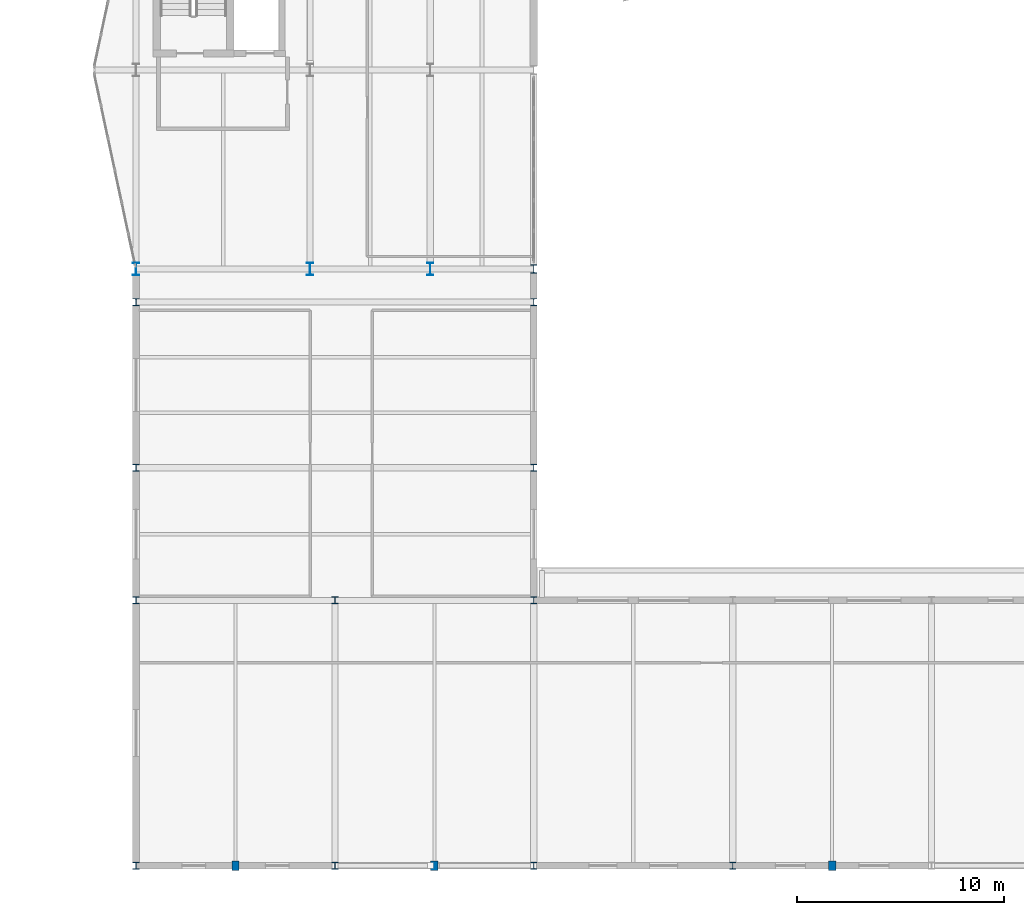
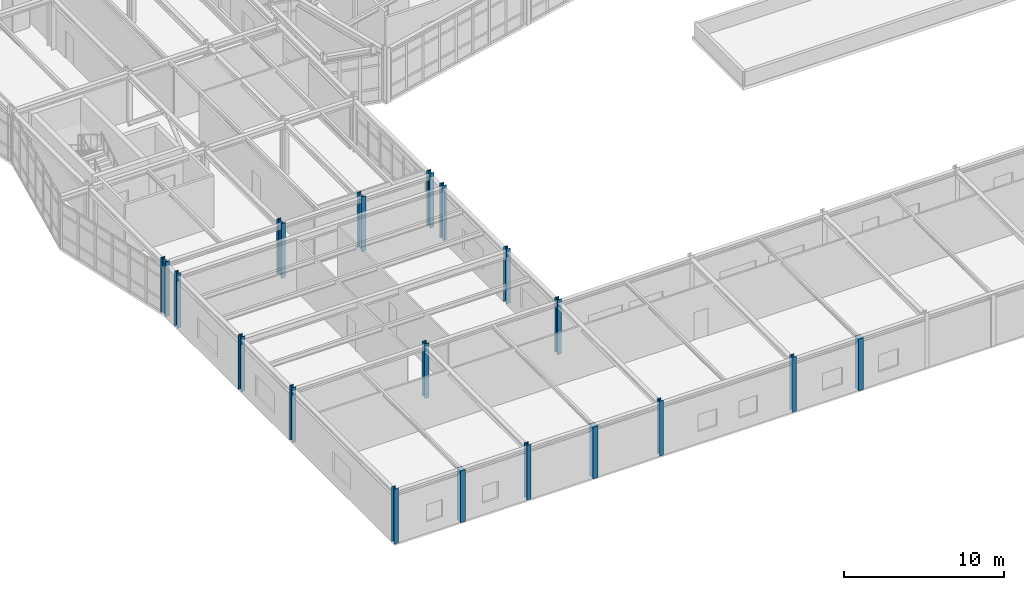
# One storey, part 1 of 99: 18 columns.
"""IFC4 building model written with IfcOpenShell, lengths in metres."""

from ifc_helpers import new_model, si_unit, direction, frame, origin, origin_2d, place, context, subcontext, project, spatial, rectangle, i_section, extrude, material, material_profile, profile_set, type_object, element, save


model = new_model("IFC4")

# Units and contexts
model_context = context("Model", 3, precision=1e-05, world=origin(), true_north=direction((0.0, 1.0)))
body_context = subcontext(model_context, "Body", "Model", "MODEL_VIEW")
ifc_project = project(units=[si_unit("LENGTHUNIT", "METRE"), si_unit("AREAUNIT", "SQUARE_METRE"), si_unit("VOLUMEUNIT", "CUBIC_METRE"), si_unit("PLANEANGLEUNIT", "RADIAN"), si_unit("MASSUNIT", "GRAM", prefix="KILO")], contexts=[model_context])

# Site, building, storey
site_placement = place(None, origin())
site = spatial("IfcSite", under=ifc_project, at=site_placement, CompositionType="ELEMENT")
building_placement = place(site_placement, origin())
building = spatial("IfcBuilding", under=site, at=building_placement, Name="Nordkorset Police Headquarters", CompositionType="ELEMENT")
storey_placement = place(building_placement, frame((0.0, 0.0, 5.25)))
storey = spatial("IfcBuildingStorey", under=building, at=storey_placement, Name="L01", CompositionType="ELEMENT", Elevation=5.25)

# Columns
ifc_material_1 = material(Name="Steel S355J2", Category="steel")
ifc_material_profile_1 = material_profile(ifc_material_1, i_section(OverallWidth=0.300048828125, OverallDepth=0.340087890625, WebThickness=0.011962890625, FlangeThickness=0.021484375, FilletRadius=0.027099609375, at=origin_2d()), Name="HEB 340")
ifc_profile_set_1 = profile_set([ifc_material_profile_1], Name="Steel S355J2")
column_type_1 = type_object("IfcColumnType", Name="Col_HEB_340", PredefinedType="COLUMN", material=ifc_profile_set_1)
for number, where, z_axis, x_axis, name in (
    (1, (0.0, 0.0, 0.0), (0.0, 0.0, 1.0), (1.0, 0.0, 0.0), "Structural Column V7_S0_0 L01"),
    (2, (0.0, 12.800048828125, 0.0), (0.0, 0.0, 1.0), (1.0, 0.0, 0.0), "Structural Column V7_S1_0 L01"),
    (3, (9.60009765625, 0.0, 0.0), (0.0, 0.0, 1.0), (1.0, 0.0, 0.0), "Structural Column V7_S0_1 L01"),
    (4, (9.60009765625, 12.800048828125, 0.0), (0.0, 0.0, 1.0), (1.0, 0.0, 0.0), "Structural Column V7_S1_1 L01"),
    (5, (19.199951171875, 0.0, 0.0), (0.0, 0.0, 1.0), (1.0, 0.0, 0.0), "Structural Column V7_S0_2 L01"),
    (6, (19.199951171875, 12.800048828125, 0.0), (0.0, 0.0, 1.0), (1.0, 0.0, 0.0), "Structural Column V7_S1_2 L01"),
    (7, (28.800048828125, 0.0, 0.0), (0.0, 0.0, 1.0), (1.0, 0.0, 0.0), "Structural Column V7_S0_3 L01"),
    (8, (0.0, 19.199951171875, 0.0), (0.0, 0.0, 1.0), (1.0, 0.0, 0.0), "Structural Column V7_WC_0_192 L01"),
    (9, (19.199951171875, 19.199951171875, 0.0), (0.0, 0.0, 1.0), (1.0, 0.0, 0.0), "Structural Column V7_WC_1_192 L01"),
    (10, (0.0, 27.199951171875, 0.0), (0.0, 0.0, 1.0), (1.0, 0.0, 0.0), "Structural Column V7_WC_0_272 L01"),
    (11, (19.199951171875, 27.199951171875, 0.0), (0.0, 0.0, 1.0), (1.0, 0.0, 0.0), "Structural Column V7_WC_1_272 L01"),
):
    element("IfcColumn", number, at=place(storey_placement, frame(where, z_axis=z_axis, x_axis=x_axis)), inside=storey, type_object=column_type_1, Name=name, PredefinedType="COLUMN", context=body_context, shape_type="SweptSolid", body=[
        extrude(i_section(OverallWidth=0.300048828125, OverallDepth=0.340087890625, WebThickness=0.011962890625, FlangeThickness=0.021484375, FilletRadius=0.027099609375, at=origin_2d()), origin(), (0.0, 0.0, 1.0), 4.199951171875),
    ])
ifc_material_2 = material(Name="Steel S355J2", Category="steel")
ifc_material_profile_2 = material_profile(ifc_material_2, i_section(OverallWidth=0.300048828125, OverallDepth=0.39990234375, WebThickness=0.013427734375, FlangeThickness=0.02392578125, FilletRadius=0.027099609375, at=origin_2d()), Name="HEB 400")
ifc_profile_set_2 = profile_set([ifc_material_profile_2], Name="Steel S355J2")
column_type_2 = type_object("IfcColumnType", Name="Col_HEB_400", PredefinedType="COLUMN", material=ifc_profile_set_2)
column_placement = place(storey_placement, frame((19.199951171875, 28.800048828125, 0.0), z_axis=(0.0, 0.0, 1.0), x_axis=(1.0, 0.0, 0.0)))
element("IfcColumn", 12, at=column_placement, inside=storey, type_object=column_type_2, Name="Structural Column V3_X3_0 L01", PredefinedType="COLUMN", context=body_context, shape_type="SweptSolid", body=[
    extrude(i_section(OverallWidth=0.300048828125, OverallDepth=0.39990234375, WebThickness=0.013427734375, FlangeThickness=0.02392578125, FilletRadius=0.027099609375, at=origin_2d()), origin(), (0.0, 0.0, 1.0), 4.199951171875),
])
ifc_material_3 = material(Name="Steel S355J2", Category="steel")
ifc_material_profile_3 = material_profile(ifc_material_3, i_section(OverallWidth=0.300048828125, OverallDepth=0.60009765625, WebThickness=0.015380859375, FlangeThickness=0.030029296875, FilletRadius=0.027099609375, at=origin_2d()), Name="HEB 600")
ifc_profile_set_3 = profile_set([ifc_material_profile_3], Name="Steel S355J2")
column_type_3 = type_object("IfcColumnType", Name="Col_HEB_600", PredefinedType="COLUMN", material=ifc_profile_set_3)
for number, where, z_axis, x_axis, name in (
    (13, (0.0, 28.800048828125, 0.0), (0.0, 0.0, 1.0), (1.0, 0.0, 0.0), "Structural Column V3_X0_0 L01"),
    (14, (8.39990234375, 28.800048828125, 0.0), (0.0, 0.0, 1.0), (1.0, 0.0, 0.0), "Structural Column V3_X1_0 L01"),
    (15, (14.199951171875, 28.800048828125, 0.0), (0.0, 0.0, 1.0), (1.0, 0.0, 0.0), "Structural Column V3_X2_0 L01"),
):
    element("IfcColumn", number, at=place(storey_placement, frame(where, z_axis=z_axis, x_axis=x_axis)), inside=storey, type_object=column_type_3, Name=name, PredefinedType="COLUMN", context=body_context, shape_type="SweptSolid", body=[
        extrude(i_section(OverallWidth=0.300048828125, OverallDepth=0.60009765625, WebThickness=0.015380859375, FlangeThickness=0.030029296875, FilletRadius=0.027099609375, at=origin_2d()), origin(), (0.0, 0.0, 1.0), 4.199951171875),
    ])
ifc_material_4 = material(Name="Concrete C45/55", Category="concrete")
ifc_material_profile_4 = material_profile(ifc_material_4, rectangle(XDim=0.35009765625, YDim=0.449951171875, at=origin_2d()), Name="RC 450x350")
ifc_profile_set_4 = profile_set([ifc_material_profile_4], Name="Concrete C45/55")
column_type_4 = type_object("IfcColumnType", Name="Pilaster_RC_450x350", PredefinedType="PILASTER", material=ifc_profile_set_4)
for number, where, z_axis, x_axis, name in (
    (16, (4.800048828125, 0.0, 0.0), (0.0, 0.0, 1.0), (1.0, 0.0, 0.0), "Perimeter Pilaster 01 L01"),
    (17, (14.39990234375, 0.0, 0.0), (0.0, 0.0, 1.0), (1.0, 0.0, 0.0), "Perimeter Pilaster 02 L01"),
    (18, (33.60009765625, 0.0, 0.0), (0.0, 0.0, 1.0), (1.0, 0.0, 0.0), "Perimeter Pilaster 03 L01"),
):
    element("IfcColumn", number, at=place(storey_placement, frame(where, z_axis=z_axis, x_axis=x_axis)), inside=storey, type_object=column_type_4, Name=name, PredefinedType="PILASTER", context=body_context, shape_type="SweptSolid", body=[
        extrude(rectangle(XDim=0.35009765625, YDim=0.449951171875, at=origin_2d()), origin(), (0.0, 0.0, 1.0), 3.949951171875),
    ])

save(model, "model.ifc")
